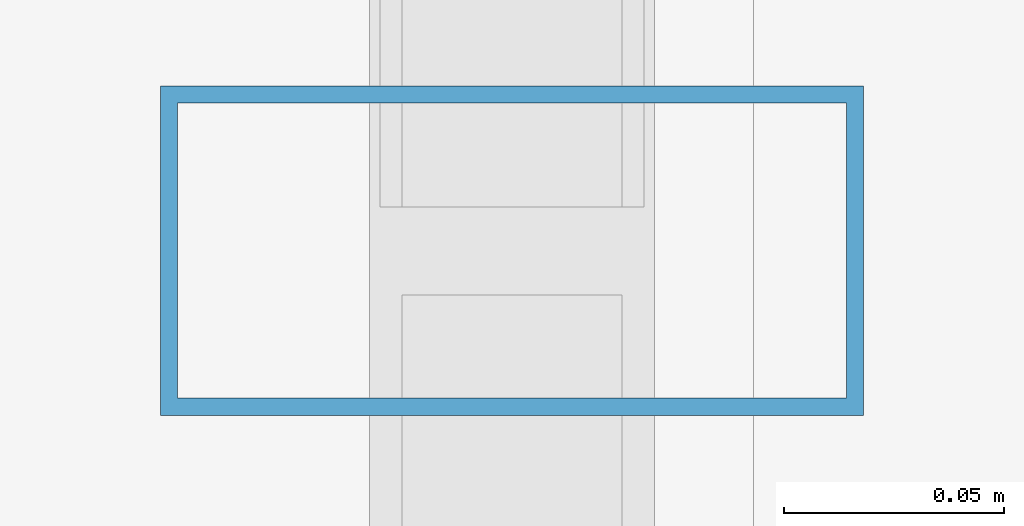
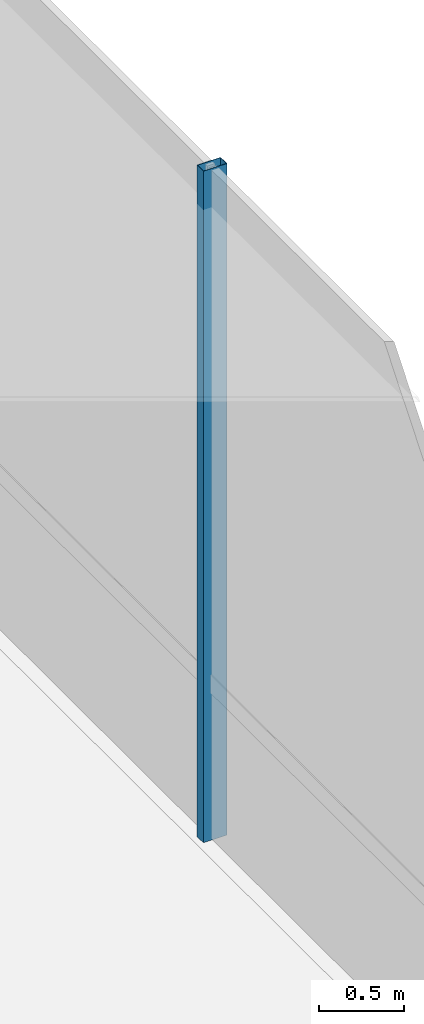
# One storey, part 22 of 39: 1 member, 1 element without a shape of its own.
"""IFC4 building model written with IfcOpenShell, lengths in metres."""

import ifcopenshell
import ifcopenshell.guid

model = None  # the IFC model being written
_history = None  # IfcOwnerHistory: only IFC2X3 demands one
_inside = {}  # id of a spatial element -> (the spatial element, [elements in it])
_under = {}  # id of a project, library or spatial element -> (it, [spatial elements below it])
_declared = {}  # id of a project -> (the project, [libraries it declares])
_typed = {}  # id of a type object -> (the type object, [elements of that type])
_made_of = {}  # id of a material, layer set ... -> (it, [elements and type objects made of it])


def new_model(schema):
    """Start an empty IFC model of exactly this schema.

    Asked for "IFC4X3", IfcOpenShell would pick the latest addendum, in which some entities
    have other attributes; the version numbers below select the first issue.
    IFC2X3 requires an IfcOwnerHistory on every rooted entity: one is made here for all.
    """
    global model, _history
    if schema == "IFC4X3":
        model = ifcopenshell.file(schema_version=(4, 3, 0, 0))
    else:
        model = ifcopenshell.file(schema=schema)
    _inside.clear()
    _under.clear()
    _declared.clear()
    _typed.clear()
    _made_of.clear()
    _history = None
    if model.schema == "IFC2X3":
        org = make("IfcOrganization", Name="unknown")
        user = make(
            "IfcPersonAndOrganization",
            ThePerson=make("IfcPerson", FamilyName="unknown"),
            TheOrganization=org,
        )
        app = make(
            "IfcApplication",
            ApplicationDeveloper=org,
            Version="unknown",
            ApplicationFullName="unknown",
            ApplicationIdentifier="unknown",
        )
        _history = make(
            "IfcOwnerHistory",
            OwningUser=user,
            OwningApplication=app,
            ChangeAction="ADDED",
            CreationDate=0,
        )
    return model


def make(cls, **values):
    """One entity of the class cls with the attributes given. An attribute that is None is left unset."""
    return model.create_entity(
        cls, **{name: value for name, value in values.items() if value is not None}
    )


def rooted(cls, **values):
    """An entity with a GlobalId (a new one), such as an element, a storey or a relation."""
    return make(cls, GlobalId=ifcopenshell.guid.new(), OwnerHistory=_history, **values)


def si_unit(unit_type, name, prefix=None):
    """IfcSIUnit, for example si_unit("LENGTHUNIT", "METRE", prefix="MILLI")."""
    return make("IfcSIUnit", UnitType=unit_type, Prefix=prefix, Name=name)


def assignment(units):
    """IfcUnitAssignment: the units of a project."""
    return None if units is None else make("IfcUnitAssignment", Units=units)


def point(xyz):
    """IfcCartesianPoint."""
    return None if xyz is None else make("IfcCartesianPoint", Coordinates=xyz)


def direction(xyz):
    """IfcDirection."""
    return None if xyz is None else make("IfcDirection", DirectionRatios=xyz)


def frame(location, z_axis=None, x_axis=None):
    """IfcAxis2Placement3D, a coordinate frame: its origin and axes. An axis left out is left unset."""
    return make(
        "IfcAxis2Placement3D",
        Location=point(location),
        Axis=direction(z_axis),
        RefDirection=direction(x_axis),
    )


def frame_2d(location, x_axis=None):
    """IfcAxis2Placement2D, a coordinate frame in the plane: its origin and x axis."""
    return make(
        "IfcAxis2Placement2D", Location=point(location), RefDirection=direction(x_axis)
    )


def origin():
    """The frame at (0, 0, 0) with its axes left unset."""
    return frame((0.0, 0.0, 0.0))


def origin_2d():
    """The frame at (0, 0) in the plane with its x axis left unset."""
    return frame_2d((0.0, 0.0))


def place(relative_to, where):
    """IfcLocalPlacement: puts the frame where relative to a parent placement (None: the world)."""
    return make(
        "IfcLocalPlacement", PlacementRelTo=relative_to, RelativePlacement=where
    )


def context(
    kind, dimensions, precision=None, world=None, true_north=None, identifier=None
):
    """IfcGeometricRepresentationContext, for example the 3D "Model" context."""
    return make(
        "IfcGeometricRepresentationContext",
        ContextIdentifier=identifier,
        ContextType=kind,
        CoordinateSpaceDimension=dimensions,
        Precision=precision,
        WorldCoordinateSystem=world,
        TrueNorth=true_north,
    )


def subcontext(parent, identifier, kind, view, scale=None):
    """IfcGeometricRepresentationSubContext, for example "Body" below "Model"."""
    return make(
        "IfcGeometricRepresentationSubContext",
        ContextIdentifier=identifier,
        ContextType=kind,
        ParentContext=parent,
        TargetScale=scale,
        TargetView=view,
    )


def project(units=None, contexts=None):
    """IfcProject with its units and contexts."""
    return rooted(
        "IfcProject",
        Name="project",
        RepresentationContexts=contexts,
        UnitsInContext=assignment(units),
    )


def spatial(cls, under=None, at=None, **own):
    """A site, building, storey or space (cls), placed at a placement, below another one or the project."""
    s = rooted(cls, ObjectPlacement=at, **own)
    if under is not None:
        _under.setdefault(under.id(), (under, []))[1].append(s)
    return s


def profile(cls, at=None, kind="AREA", **sizes):
    """A parametric profile (cls). Its sizes go by their IFC names, for example OverallWidth=200.0."""
    return make(cls, ProfileType=kind, Position=at, **sizes)


def hollow_rectangle(**sizes):
    """IfcRectangleHollowProfileDef."""
    return profile("IfcRectangleHollowProfileDef", **sizes)


def extrude(swept, where, along, depth):
    """IfcExtrudedAreaSolid: the profile swept, set in the frame where, extruded along a direction by depth."""
    return make(
        "IfcExtrudedAreaSolid",
        SweptArea=swept,
        Position=where,
        ExtrudedDirection=direction(along),
        Depth=depth,
    )


def shape(context_of_items, identifier, shape_type, items):
    """IfcShapeRepresentation: the items that make up one representation, for example the "Body"."""
    return make(
        "IfcShapeRepresentation",
        ContextOfItems=context_of_items,
        RepresentationIdentifier=identifier,
        RepresentationType=shape_type,
        Items=items,
    )


def source(mapping_origin, context_of_items, identifier, shape_type, items):
    """IfcRepresentationMap: a shape defined once, which mapped items show again and again."""
    return make(
        "IfcRepresentationMap",
        MappingOrigin=mapping_origin,
        MappedRepresentation=shape(context_of_items, identifier, shape_type, items),
    )


def transform(
    local_origin,
    x_axis=None,
    y_axis=None,
    z_axis=None,
    scale=None,
    scale2=None,
    scale3=None,
    uniform=True,
):
    """IfcCartesianTransformationOperator3D, or its non-uniform kind. x_axis, y_axis, z_axis: its Axis1, 2, 3."""
    if uniform:
        return make(
            "IfcCartesianTransformationOperator3D",
            Axis1=direction(x_axis),
            Axis2=direction(y_axis),
            LocalOrigin=point(local_origin),
            Scale=scale,
            Axis3=direction(z_axis),
        )
    return make(
        "IfcCartesianTransformationOperator3DnonUniform",
        Axis1=direction(x_axis),
        Axis2=direction(y_axis),
        LocalOrigin=point(local_origin),
        Scale=scale,
        Axis3=direction(z_axis),
        Scale2=scale2,
        Scale3=scale3,
    )


def mapped(mapping_source, mapping_target):
    """IfcMappedItem: shows the shape of a source again, moved by a transform."""
    return make(
        "IfcMappedItem", MappingSource=mapping_source, MappingTarget=mapping_target
    )


def material(Name=None, Category=None):
    """IfcMaterial."""
    return make("IfcMaterial", Name=Name, Category=Category)


def material_profile(
    of_material, cross_section, Name=None, Category=None, Priority=None
):
    """IfcMaterialProfile: a cross section and its material."""
    return make(
        "IfcMaterialProfile",
        Name=Name,
        Material=of_material,
        Profile=cross_section,
        Priority=Priority,
        Category=Category,
    )


def profile_set(profiles, Name=None, composite=None):
    """IfcMaterialProfileSet."""
    return make(
        "IfcMaterialProfileSet",
        Name=Name,
        MaterialProfiles=profiles,
        CompositeProfile=composite,
    )


def made_of(thing, what):
    """Note that an element or type object is made of a material, layer set ...; save() writes the relation."""
    if what is not None:
        _made_of.setdefault(what.id(), (what, []))[1].append(thing)
    return thing


def type_object(cls, material=None, **own):
    """A type object (cls), such as IfcWallType, which elements share."""
    return made_of(rooted(cls, **own), material)


def element(
    cls,
    number,
    at=None,
    inside=None,
    cuts=None,
    type_object=None,
    material=None,
    context=None,
    identifier="Body",
    shape_type=None,
    held_by="IfcProductDefinitionShape",
    body=None,
    shapes=None,
    **own,
):
    """One element of the class cls, such as IfcWall. Its Tag is "e" and its number.

    at: its placement. inside: the storey or other place that contains it. cuts: it is an
    opening in that element (IfcRelVoidsElement). A single representation is given by context,
    identifier, shape_type and body (its items); several are given by shapes. held_by: the class
    of the entity that holds the representations. save() writes the other relations.
    """
    e = rooted(cls, Tag="e%d" % number, ObjectPlacement=at, **own)
    if body is not None:
        shapes = [shape(context, identifier, shape_type, body)]
    if shapes is not None:
        e.Representation = make(held_by, Representations=shapes)
    if inside is not None:
        _inside.setdefault(inside.id(), (inside, []))[1].append(e)
    if cuts is not None:
        rooted(
            "IfcRelVoidsElement", RelatingBuildingElement=cuts, RelatedOpeningElement=e
        )
    if type_object is not None:
        _typed.setdefault(type_object.id(), (type_object, []))[1].append(e)
    return made_of(e, material)


def aggregate(whole, parts):
    """IfcRelAggregates: a whole, such as a stair, and the parts it consists of."""
    return rooted("IfcRelAggregates", RelatingObject=whole, RelatedObjects=parts)


def save(model, path):
    """Write the relations noted so far, then the file.

    IfcRelAggregates (storeys below a building ...), IfcRelContainedInSpatialStructure (elements
    in a storey), IfcRelDefinesByType, IfcRelAssociatesMaterial and IfcRelDeclares: one each for
    every whole, place, type object, material and project.
    """
    for whole, parts in _under.values():
        aggregate(whole, parts)
    for where, things in _inside.values():
        rooted(
            "IfcRelContainedInSpatialStructure",
            RelatedElements=things,
            RelatingStructure=where,
        )
    for kind, things in _typed.values():
        rooted("IfcRelDefinesByType", RelatedObjects=things, RelatingType=kind)
    for what, things in _made_of.values():
        rooted("IfcRelAssociatesMaterial", RelatedObjects=things, RelatingMaterial=what)
    for by, libraries in _declared.values():
        rooted("IfcRelDeclares", RelatingContext=by, RelatedDefinitions=libraries)
    model.write(path)


model = new_model("IFC4")

# Units and contexts
model_context = context("Model", 3, precision=1e-05, world=origin(), true_north=direction((0.0, 1.0)))
body_context = subcontext(model_context, "Body", "Model", "MODEL_VIEW")
ifc_project = project(units=[si_unit("LENGTHUNIT", "METRE"), si_unit("AREAUNIT", "SQUARE_METRE"), si_unit("VOLUMEUNIT", "CUBIC_METRE"), si_unit("PLANEANGLEUNIT", "RADIAN"), si_unit("MASSUNIT", "GRAM", prefix="KILO")], contexts=[model_context])

# Site, building, storey
site_placement = place(None, origin())
site = spatial("IfcSite", under=ifc_project, at=site_placement, CompositionType="ELEMENT")
building_placement = place(site_placement, origin())
building = spatial("IfcBuilding", under=site, at=building_placement, Name="Valdorenza Pilgrim Sanctuary Tower", CompositionType="ELEMENT")
storey_placement = place(building_placement, frame((0.0, 0.0, 15.60009765625)))
storey = spatial("IfcBuildingStorey", under=building, at=storey_placement, Name="L03", CompositionType="ELEMENT", Elevation=15.60009765625)

# Curtain wall, member
ifc_material_1 = material(Name="Curtain-wall IGU glazing", Category="glass")
curtain_wall_type = type_object("IfcCurtainWallType", Name="CW-SYS-01", PredefinedType="NOTDEFINED", material=ifc_material_1)
curtain_wall_placement = place(storey_placement, origin())
curtain_wall = element("IfcCurtainWall", 1, at=curtain_wall_placement, inside=storey, type_object=curtain_wall_type, Name="L03 Curtain Wall CW-POD-L03-EE", PredefinedType="NOTDEFINED")
ifc_material_2 = material(Name="Anodised aluminium AW-6060", Category="aluminium")
ifc_material_profile = material_profile(ifc_material_2, hollow_rectangle(XDim=0.074951171875, YDim=0.159912109375, WallThickness=0.00390625, at=origin_2d()), Name="ALU-M 160x75x4")
ifc_profile_set = profile_set([ifc_material_profile], Name="Anodised aluminium AW-6060")
member_type = type_object("IfcMemberType", Name="CW-MUL-01", PredefinedType="MULLION", material=ifc_profile_set)
shared_shape = source(origin(), body_context, "Body", "SweptSolid", [
    extrude(hollow_rectangle(XDim=0.074951171875, YDim=0.159912109375, WallThickness=0.00390625, at=origin_2d()), origin(), (0.0, 0.0, 1.0), 4.7998046875),
])
member_placement = place(storey_placement, frame((33.85009765625, 4.666748046875, 0.0), z_axis=(0.0, 0.0, 1.0), x_axis=(0.0, 1.0, 0.0)))
member = element("IfcMember", 2, at=member_placement, type_object=member_type, Name="CW-POD-L03-EE Mullion 3", PredefinedType="MULLION", context=body_context, shape_type="MappedRepresentation", body=[
    mapped(shared_shape, transform((0.0, 0.0, 0.0), x_axis=(1.0, 0.0, 0.0), y_axis=(0.0, 1.0, 0.0), z_axis=(0.0, 0.0, 1.0), scale=1.0)),
])
aggregate(curtain_wall, [member])

save(model, "model.ifc")
